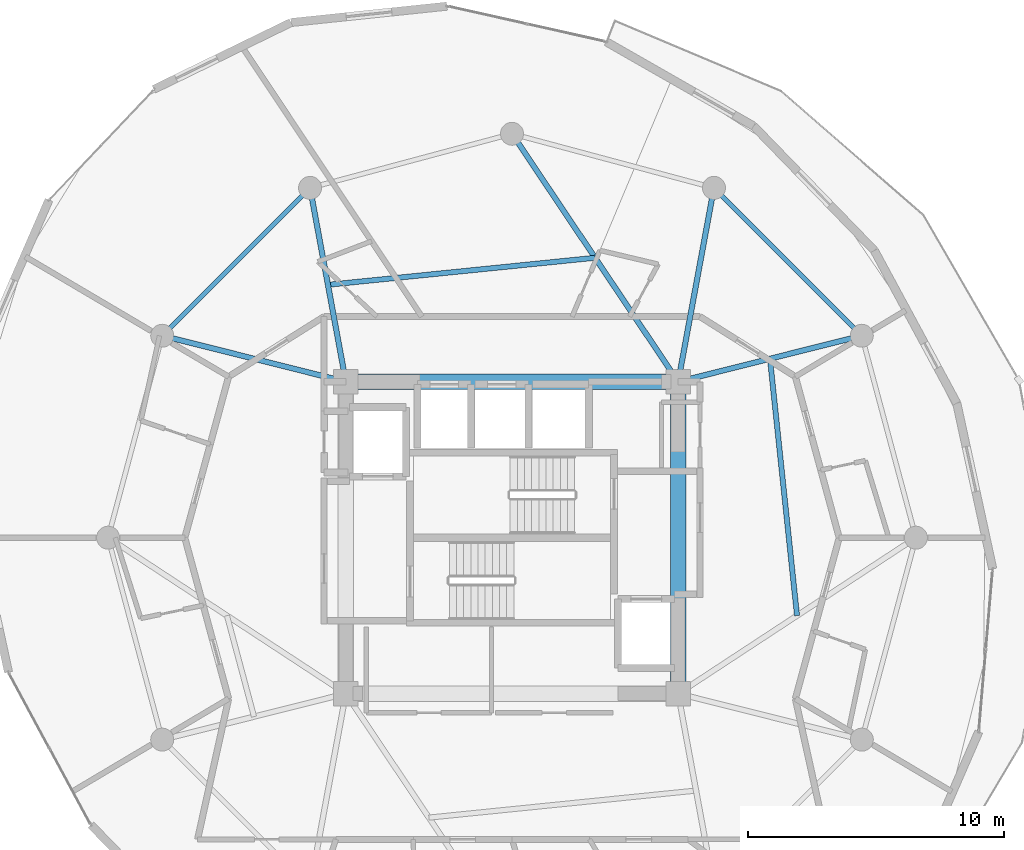
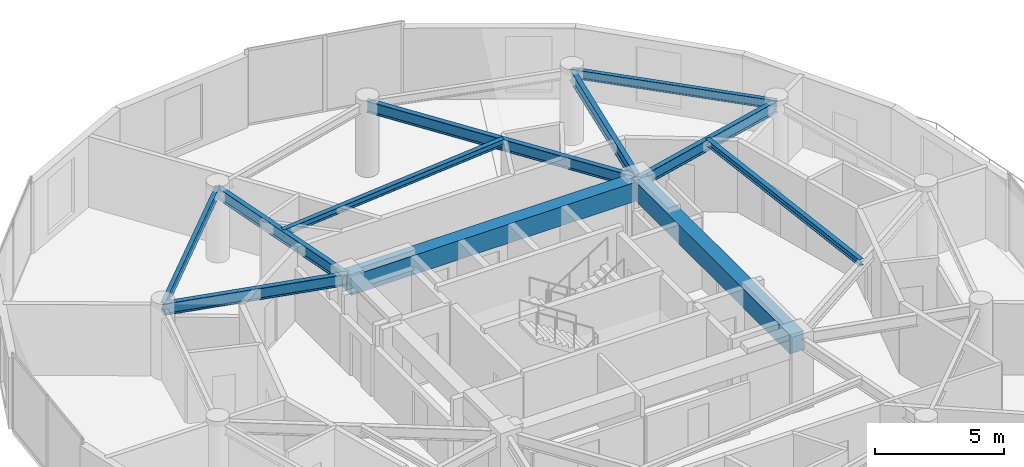
# One storey, part 10 of 23: 11 beams.
"""IFC4 building model written with IfcOpenShell, lengths in metres."""

import ifcopenshell
import ifcopenshell.guid

model = None  # the IFC model being written
_history = None  # IfcOwnerHistory: only IFC2X3 demands one
_inside = {}  # id of a spatial element -> (the spatial element, [elements in it])
_under = {}  # id of a project, library or spatial element -> (it, [spatial elements below it])
_declared = {}  # id of a project -> (the project, [libraries it declares])
_typed = {}  # id of a type object -> (the type object, [elements of that type])
_made_of = {}  # id of a material, layer set ... -> (it, [elements and type objects made of it])


def new_model(schema):
    """Start an empty IFC model of exactly this schema.

    Asked for "IFC4X3", IfcOpenShell would pick the latest addendum, in which some entities
    have other attributes; the version numbers below select the first issue.
    IFC2X3 requires an IfcOwnerHistory on every rooted entity: one is made here for all.
    """
    global model, _history
    if schema == "IFC4X3":
        model = ifcopenshell.file(schema_version=(4, 3, 0, 0))
    else:
        model = ifcopenshell.file(schema=schema)
    _inside.clear()
    _under.clear()
    _declared.clear()
    _typed.clear()
    _made_of.clear()
    _history = None
    if model.schema == "IFC2X3":
        org = make("IfcOrganization", Name="unknown")
        user = make(
            "IfcPersonAndOrganization",
            ThePerson=make("IfcPerson", FamilyName="unknown"),
            TheOrganization=org,
        )
        app = make(
            "IfcApplication",
            ApplicationDeveloper=org,
            Version="unknown",
            ApplicationFullName="unknown",
            ApplicationIdentifier="unknown",
        )
        _history = make(
            "IfcOwnerHistory",
            OwningUser=user,
            OwningApplication=app,
            ChangeAction="ADDED",
            CreationDate=0,
        )
    return model


def make(cls, **values):
    """One entity of the class cls with the attributes given. An attribute that is None is left unset."""
    return model.create_entity(
        cls, **{name: value for name, value in values.items() if value is not None}
    )


def rooted(cls, **values):
    """An entity with a GlobalId (a new one), such as an element, a storey or a relation."""
    return make(cls, GlobalId=ifcopenshell.guid.new(), OwnerHistory=_history, **values)


def si_unit(unit_type, name, prefix=None):
    """IfcSIUnit, for example si_unit("LENGTHUNIT", "METRE", prefix="MILLI")."""
    return make("IfcSIUnit", UnitType=unit_type, Prefix=prefix, Name=name)


def assignment(units):
    """IfcUnitAssignment: the units of a project."""
    return None if units is None else make("IfcUnitAssignment", Units=units)


def point(xyz):
    """IfcCartesianPoint."""
    return None if xyz is None else make("IfcCartesianPoint", Coordinates=xyz)


def direction(xyz):
    """IfcDirection."""
    return None if xyz is None else make("IfcDirection", DirectionRatios=xyz)


def frame(location, z_axis=None, x_axis=None):
    """IfcAxis2Placement3D, a coordinate frame: its origin and axes. An axis left out is left unset."""
    return make(
        "IfcAxis2Placement3D",
        Location=point(location),
        Axis=direction(z_axis),
        RefDirection=direction(x_axis),
    )


def frame_2d(location, x_axis=None):
    """IfcAxis2Placement2D, a coordinate frame in the plane: its origin and x axis."""
    return make(
        "IfcAxis2Placement2D", Location=point(location), RefDirection=direction(x_axis)
    )


def origin():
    """The frame at (0, 0, 0) with its axes left unset."""
    return frame((0.0, 0.0, 0.0))


def origin_2d():
    """The frame at (0, 0) in the plane with its x axis left unset."""
    return frame_2d((0.0, 0.0))


def place(relative_to, where):
    """IfcLocalPlacement: puts the frame where relative to a parent placement (None: the world)."""
    return make(
        "IfcLocalPlacement", PlacementRelTo=relative_to, RelativePlacement=where
    )


def context(
    kind, dimensions, precision=None, world=None, true_north=None, identifier=None
):
    """IfcGeometricRepresentationContext, for example the 3D "Model" context."""
    return make(
        "IfcGeometricRepresentationContext",
        ContextIdentifier=identifier,
        ContextType=kind,
        CoordinateSpaceDimension=dimensions,
        Precision=precision,
        WorldCoordinateSystem=world,
        TrueNorth=true_north,
    )


def subcontext(parent, identifier, kind, view, scale=None):
    """IfcGeometricRepresentationSubContext, for example "Body" below "Model"."""
    return make(
        "IfcGeometricRepresentationSubContext",
        ContextIdentifier=identifier,
        ContextType=kind,
        ParentContext=parent,
        TargetScale=scale,
        TargetView=view,
    )


def project(units=None, contexts=None):
    """IfcProject with its units and contexts."""
    return rooted(
        "IfcProject",
        Name="project",
        RepresentationContexts=contexts,
        UnitsInContext=assignment(units),
    )


def spatial(cls, under=None, at=None, **own):
    """A site, building, storey or space (cls), placed at a placement, below another one or the project."""
    s = rooted(cls, ObjectPlacement=at, **own)
    if under is not None:
        _under.setdefault(under.id(), (under, []))[1].append(s)
    return s


def profile(cls, at=None, kind="AREA", **sizes):
    """A parametric profile (cls). Its sizes go by their IFC names, for example OverallWidth=200.0."""
    return make(cls, ProfileType=kind, Position=at, **sizes)


def rectangle(**sizes):
    """IfcRectangleProfileDef."""
    return profile("IfcRectangleProfileDef", **sizes)


def i_section(**sizes):
    """IfcIShapeProfileDef."""
    return profile("IfcIShapeProfileDef", **sizes)


def extrude(swept, where, along, depth):
    """IfcExtrudedAreaSolid: the profile swept, set in the frame where, extruded along a direction by depth."""
    return make(
        "IfcExtrudedAreaSolid",
        SweptArea=swept,
        Position=where,
        ExtrudedDirection=direction(along),
        Depth=depth,
    )


def shape(context_of_items, identifier, shape_type, items):
    """IfcShapeRepresentation: the items that make up one representation, for example the "Body"."""
    return make(
        "IfcShapeRepresentation",
        ContextOfItems=context_of_items,
        RepresentationIdentifier=identifier,
        RepresentationType=shape_type,
        Items=items,
    )


def material(Name=None, Category=None):
    """IfcMaterial."""
    return make("IfcMaterial", Name=Name, Category=Category)


def material_profile(
    of_material, cross_section, Name=None, Category=None, Priority=None
):
    """IfcMaterialProfile: a cross section and its material."""
    return make(
        "IfcMaterialProfile",
        Name=Name,
        Material=of_material,
        Profile=cross_section,
        Priority=Priority,
        Category=Category,
    )


def profile_set(profiles, Name=None, composite=None):
    """IfcMaterialProfileSet."""
    return make(
        "IfcMaterialProfileSet",
        Name=Name,
        MaterialProfiles=profiles,
        CompositeProfile=composite,
    )


def made_of(thing, what):
    """Note that an element or type object is made of a material, layer set ...; save() writes the relation."""
    if what is not None:
        _made_of.setdefault(what.id(), (what, []))[1].append(thing)
    return thing


def type_object(cls, material=None, **own):
    """A type object (cls), such as IfcWallType, which elements share."""
    return made_of(rooted(cls, **own), material)


def element(
    cls,
    number,
    at=None,
    inside=None,
    cuts=None,
    type_object=None,
    material=None,
    context=None,
    identifier="Body",
    shape_type=None,
    held_by="IfcProductDefinitionShape",
    body=None,
    shapes=None,
    **own,
):
    """One element of the class cls, such as IfcWall. Its Tag is "e" and its number.

    at: its placement. inside: the storey or other place that contains it. cuts: it is an
    opening in that element (IfcRelVoidsElement). A single representation is given by context,
    identifier, shape_type and body (its items); several are given by shapes. held_by: the class
    of the entity that holds the representations. save() writes the other relations.
    """
    e = rooted(cls, Tag="e%d" % number, ObjectPlacement=at, **own)
    if body is not None:
        shapes = [shape(context, identifier, shape_type, body)]
    if shapes is not None:
        e.Representation = make(held_by, Representations=shapes)
    if inside is not None:
        _inside.setdefault(inside.id(), (inside, []))[1].append(e)
    if cuts is not None:
        rooted(
            "IfcRelVoidsElement", RelatingBuildingElement=cuts, RelatedOpeningElement=e
        )
    if type_object is not None:
        _typed.setdefault(type_object.id(), (type_object, []))[1].append(e)
    return made_of(e, material)


def aggregate(whole, parts):
    """IfcRelAggregates: a whole, such as a stair, and the parts it consists of."""
    return rooted("IfcRelAggregates", RelatingObject=whole, RelatedObjects=parts)


def save(model, path):
    """Write the relations noted so far, then the file.

    IfcRelAggregates (storeys below a building ...), IfcRelContainedInSpatialStructure (elements
    in a storey), IfcRelDefinesByType, IfcRelAssociatesMaterial and IfcRelDeclares: one each for
    every whole, place, type object, material and project.
    """
    for whole, parts in _under.values():
        aggregate(whole, parts)
    for where, things in _inside.values():
        rooted(
            "IfcRelContainedInSpatialStructure",
            RelatedElements=things,
            RelatingStructure=where,
        )
    for kind, things in _typed.values():
        rooted("IfcRelDefinesByType", RelatedObjects=things, RelatingType=kind)
    for what, things in _made_of.values():
        rooted("IfcRelAssociatesMaterial", RelatedObjects=things, RelatingMaterial=what)
    for by, libraries in _declared.values():
        rooted("IfcRelDeclares", RelatingContext=by, RelatedDefinitions=libraries)
    model.write(path)


model = new_model("IFC4")

# Units and contexts
model_context = context("Model", 3, precision=1e-05, world=origin(), true_north=direction((0.0, 1.0)))
body_context = subcontext(model_context, "Body", "Model", "MODEL_VIEW")
ifc_project = project(units=[si_unit("LENGTHUNIT", "METRE"), si_unit("AREAUNIT", "SQUARE_METRE"), si_unit("VOLUMEUNIT", "CUBIC_METRE"), si_unit("PLANEANGLEUNIT", "RADIAN"), si_unit("MASSUNIT", "GRAM", prefix="KILO")], contexts=[model_context])

# Site, building, storey
site_placement = place(None, origin())
site = spatial("IfcSite", under=ifc_project, at=site_placement, CompositionType="ELEMENT")
building_placement = place(site_placement, origin())
building = spatial("IfcBuilding", under=site, at=building_placement, Name="Solvirekh Grand Hotel", CompositionType="ELEMENT")
storey_placement = place(building_placement, frame((0.0, 0.0, 173.199951171875)))
storey = spatial("IfcBuildingStorey", under=building, at=storey_placement, Name="L44", CompositionType="ELEMENT", Elevation=173.199951171875)

# Beams
ifc_material_1 = material(Name="Concrete C50/60", Category="concrete")
ifc_material_profile_1 = material_profile(ifc_material_1, rectangle(XDim=0.60009765625, YDim=0.89990234375, at=origin_2d()), Name="RC BEAM 600X900")
ifc_profile_set_1 = profile_set([ifc_material_profile_1], Name="Concrete C50/60")
beam_type_1 = type_object("IfcBeamType", Name="Beam_Core_RC900", PredefinedType="BEAM", material=ifc_profile_set_1)
beam_1_placement = place(storey_placement, frame((6.5, -6.10009765625, 2.91015625), z_axis=(0.0, 1.0, 0.0), x_axis=(-1.0, 0.0, 0.0)))
element("IfcBeam", 1, at=beam_1_placement, inside=storey, type_object=beam_type_1, Name="L44 core coupling ring beam 2", PredefinedType="BEAM", context=body_context, shape_type="SweptSolid", body=[
    extrude(rectangle(XDim=0.60009765625, YDim=0.89990234375, at=origin_2d()), origin(), (0.0, 0.0, 1.0), 12.2001953125),
])
beam_2_placement = place(storey_placement, frame((6.5, 6.10009765625, 2.91015625), z_axis=(-1.0, 0.0, 0.0), x_axis=(0.0, -1.0, 0.0)))
element("IfcBeam", 2, at=beam_2_placement, inside=storey, type_object=beam_type_1, Name="L44 core coupling ring beam 3", PredefinedType="BEAM", context=body_context, shape_type="SweptSolid", body=[
    extrude(rectangle(XDim=0.60009765625, YDim=0.89990234375, at=origin_2d()), origin(), (0.0, 0.0, 1.0), 13.0),
])
ifc_material_2 = material(Name="Steel S355", Category="steel")
ifc_material_profile_2 = material_profile(ifc_material_2, i_section(OverallWidth=0.2119140625, OverallDepth=0.5439453125, WebThickness=0.011962890625, FlangeThickness=0.01904296875, FilletRadius=0.013916015625, at=origin_2d()), Name="W530X123")
ifc_profile_set_2 = profile_set([ifc_material_profile_2], Name="Steel S355")
beam_type_2 = type_object("IfcBeamType", Name="Beam_Radial_W530H", PredefinedType="BEAM", material=ifc_profile_set_2)
beam_3_placement = place(storey_placement, frame((6.5, 6.10009765625, 3.088134765625), z_axis=(0.970014367692, 0.243047580675, 0.0), x_axis=(-0.243047580675, 0.970014367692, 0.0)))
element("IfcBeam", 3, at=beam_3_placement, inside=storey, type_object=beam_type_2, Name="L44 radial floor beam R02", PredefinedType="BEAM", context=body_context, shape_type="SweptSolid", body=[
    extrude(i_section(OverallWidth=0.2119140625, OverallDepth=0.5439453125, WebThickness=0.011962890625, FlangeThickness=0.01904296875, FilletRadius=0.013916015625, at=origin_2d()), origin(), (0.0, 0.0, 1.0), 7.4052734375),
])
beam_4_placement = place(storey_placement, frame((6.5, 6.10009765625, 3.088134765625), z_axis=(0.181542769111, 0.983383049978, 0.0), x_axis=(-0.983383049978, 0.181542769111, 0.0)))
element("IfcBeam", 4, at=beam_4_placement, inside=storey, type_object=beam_type_2, Name="L44 radial floor beam R03", PredefinedType="BEAM", context=body_context, shape_type="SweptSolid", body=[
    extrude(i_section(OverallWidth=0.2119140625, OverallDepth=0.5439453125, WebThickness=0.011962890625, FlangeThickness=0.01904296875, FilletRadius=0.013916015625, at=origin_2d()), origin(), (0.0, 0.0, 1.0), 7.711181640625),
])
beam_5_placement = place(storey_placement, frame((6.5, 6.10009765625, 3.088134765625), z_axis=(-0.556676926176, 0.830729077295, 0.0), x_axis=(-0.830729077295, -0.556676926176, 0.0)))
element("IfcBeam", 5, at=beam_5_placement, inside=storey, type_object=beam_type_2, Name="L44 radial floor beam R04", PredefinedType="BEAM", context=body_context, shape_type="SweptSolid", body=[
    extrude(i_section(OverallWidth=0.2119140625, OverallDepth=0.5439453125, WebThickness=0.011962890625, FlangeThickness=0.01904296875, FilletRadius=0.013916015625, at=origin_2d()), origin(), (0.0, 0.0, 1.0), 11.676513671875),
])
beam_6_placement = place(storey_placement, frame((-6.5, 6.10009765625, 3.088134765625), z_axis=(-0.181542769111, 0.983383049978, 0.0), x_axis=(-0.983383049978, -0.181542769111, 0.0)))
element("IfcBeam", 6, at=beam_6_placement, inside=storey, type_object=beam_type_2, Name="L44 radial floor beam R05", PredefinedType="BEAM", context=body_context, shape_type="SweptSolid", body=[
    extrude(i_section(OverallWidth=0.2119140625, OverallDepth=0.5439453125, WebThickness=0.011962890625, FlangeThickness=0.01904296875, FilletRadius=0.013916015625, at=origin_2d()), origin(), (0.0, 0.0, 1.0), 7.711181640625),
])
beam_7_placement = place(storey_placement, frame((-6.5, 6.10009765625, 3.088134765625), z_axis=(-0.970014367692, 0.243047580675, 0.0), x_axis=(-0.243047580675, -0.970014367692, 0.0)))
element("IfcBeam", 7, at=beam_7_placement, inside=storey, type_object=beam_type_2, Name="L44 radial floor beam R06", PredefinedType="BEAM", context=body_context, shape_type="SweptSolid", body=[
    extrude(i_section(OverallWidth=0.2119140625, OverallDepth=0.5439453125, WebThickness=0.011962890625, FlangeThickness=0.01904296875, FilletRadius=0.013916015625, at=origin_2d()), origin(), (0.0, 0.0, 1.0), 7.4052734375),
])
ifc_material_profile_3 = material_profile(ifc_material_2, i_section(OverallWidth=0.202880859375, OverallDepth=0.302978515625, WebThickness=0.008056640625, FlangeThickness=0.012939453125, FilletRadius=0.010009765625, at=origin_2d()), Name="W310X60")
ifc_profile_set_3 = profile_set([ifc_material_profile_3], Name="Steel S355")
beam_type_3 = type_object("IfcBeamType", Name="Joist_Floor_W310", PredefinedType="JOIST", material=ifc_profile_set_3)
beam_8_placement = place(storey_placement, frame((11.14990234375, -3.050048828125, 3.208984375), z_axis=(-0.1047765874, 0.994495785176, 0.0), x_axis=(-0.994495785176, -0.1047765874, 0.0)))
element("IfcBeam", 8, at=beam_8_placement, inside=storey, type_object=beam_type_3, Name="L44 secondary composite floor joist 1", PredefinedType="JOIST", context=body_context, shape_type="SweptSolid", body=[
    extrude(i_section(OverallWidth=0.202880859375, OverallDepth=0.302978515625, WebThickness=0.008056640625, FlangeThickness=0.012939453125, FilletRadius=0.010009765625, at=origin_2d()), origin(), (0.0, 0.0, 1.0), 10.105712890625),
])
beam_9_placement = place(storey_placement, frame((3.25, 10.949951171875, 3.208984375), z_axis=(-0.994915167737, -0.100716478326, 0.0), x_axis=(0.100716478326, -0.994915167737, 0.0)))
element("IfcBeam", 9, at=beam_9_placement, inside=storey, type_object=beam_type_3, Name="L44 secondary composite floor joist 4", PredefinedType="JOIST", context=body_context, shape_type="SweptSolid", body=[
    extrude(i_section(OverallWidth=0.202880859375, OverallDepth=0.302978515625, WebThickness=0.008056640625, FlangeThickness=0.012939453125, FilletRadius=0.010009765625, at=origin_2d()), origin(), (0.0, 0.0, 1.0), 10.50341796875),
])
ifc_material_profile_4 = material_profile(ifc_material_2, i_section(OverallWidth=0.180908203125, OverallDepth=0.4169921875, WebThickness=0.010009765625, FlangeThickness=0.01611328125, FilletRadius=0.011962890625, at=origin_2d()), Name="W410X85")
ifc_profile_set_4 = profile_set([ifc_material_profile_4], Name="Steel S355")
beam_type_4 = type_object("IfcBeamType", Name="Spandrel_Ring_W410", PredefinedType="SPANDREL", material=ifc_profile_set_4)
for number, where, z_axis, x_axis, name in (
    (10, (13.68310546875, 7.89990234375, 3.152099609375), (-0.707106781187, 0.707106781187, 0.0), (-0.707106781187, -0.707106781187, 0.0), "L44 perimeter spandrel beam 2"),
    (11, (-7.89990234375, 13.68310546875, 3.152099609375), (-0.707106781187, -0.707106781187, 0.0), (0.707106781187, -0.707106781187, 0.0), "L44 perimeter spandrel beam 5"),
):
    element("IfcBeam", number, at=place(storey_placement, frame(where, z_axis=z_axis, x_axis=x_axis)), inside=storey, type_object=beam_type_4, Name=name, PredefinedType="SPANDREL", context=body_context, shape_type="SweptSolid", body=[
        extrude(i_section(OverallWidth=0.180908203125, OverallDepth=0.4169921875, WebThickness=0.010009765625, FlangeThickness=0.01611328125, FilletRadius=0.011962890625, at=origin_2d()), origin(), (0.0, 0.0, 1.0), 8.1787109375),
    ])

save(model, "model.ifc")
